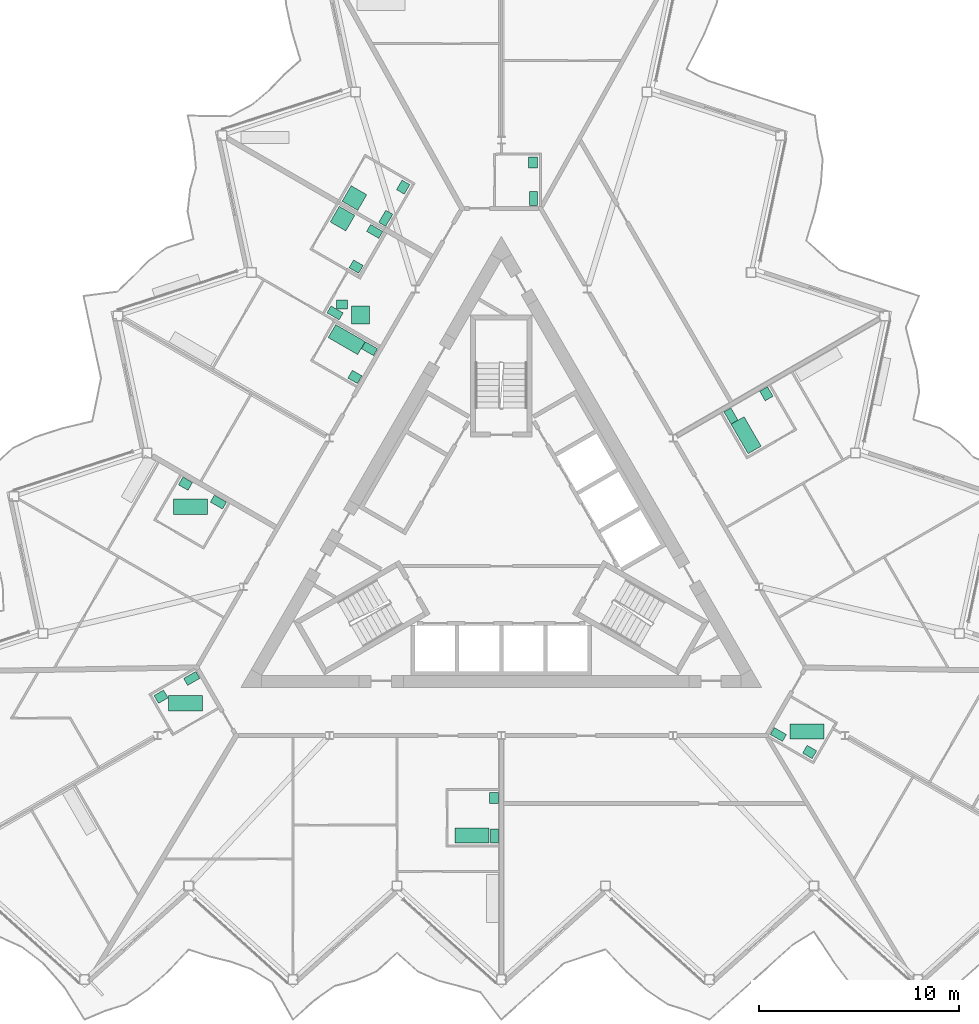
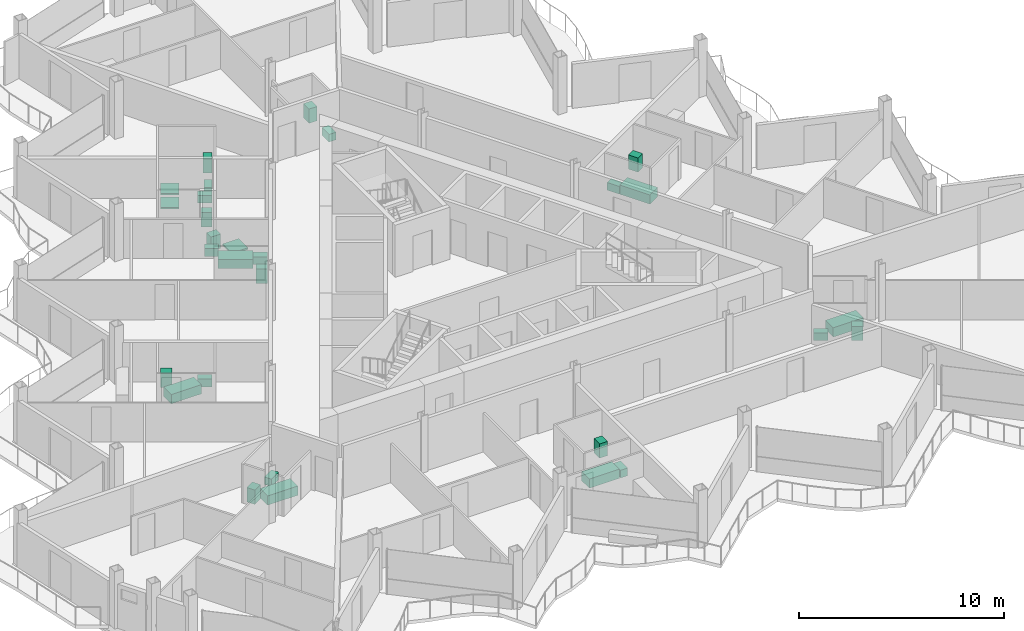
# One storey, part 25 of 26: 29 sanitary terminals.
"""IFC4 building model written with IfcOpenShell, lengths in metres."""

from ifc_helpers import new_model, si_unit, direction, frame, origin, origin_2d, place, context, subcontext, project, spatial, rectangle, extrude, material, type_object, element, save


model = new_model("IFC4")

# Units and contexts
model_context = context("Model", 3, precision=1e-05, world=origin(), true_north=direction((0.0, 1.0)))
body_context = subcontext(model_context, "Body", "Model", "MODEL_VIEW")
ifc_project = project(units=[si_unit("LENGTHUNIT", "METRE"), si_unit("AREAUNIT", "SQUARE_METRE"), si_unit("VOLUMEUNIT", "CUBIC_METRE"), si_unit("PLANEANGLEUNIT", "RADIAN"), si_unit("MASSUNIT", "GRAM", prefix="KILO")], contexts=[model_context])

# Site, building, storey
site_placement = place(None, origin())
site = spatial("IfcSite", under=ifc_project, at=site_placement, CompositionType="ELEMENT")
building_placement = place(site_placement, origin())
building = spatial("IfcBuilding", under=site, at=building_placement, Name="Cormorant Prow Tower", CompositionType="ELEMENT")
storey_placement = place(building_placement, frame((0.0, 0.0, 384.800048828125)))
storey = spatial("IfcBuildingStorey", under=building, at=storey_placement, Name="L87", CompositionType="ELEMENT", Elevation=384.800048828125)

# Sanitary terminals
ifc_material_1 = material(Name="Vitreous china")
sanitary_terminal_type_1 = type_object("IfcSanitaryTerminalType", Name="Bath 1700x750", PredefinedType="BATH", material=ifc_material_1)
for number, where, z_axis, x_axis, name in (
    (1, (-1.455078125, -14.885498046875, 0.0), (0.0, 0.0, 1.0), (1.0, 0.0, 0.0), "Bath"),
    (2, (15.2607421875, -9.70068359375, 0.0), (0.0, 0.0, 1.0), (1.0, 0.0, 0.0), "Bath"),
    (3, (12.219482421875, 5.086181640625, 0.0), (0.0, 0.0, 1.0), (-0.5, 0.866025403784, 0.0), "Bath"),
    (4, (-7.715087890625, 9.8583984375, 0.0), (0.0, 0.0, 1.0), (0.866025403784, -0.5, 0.0), "Bath"),
    (5, (-15.51171875, 1.515869140625, 0.0), (0.0, 0.0, 1.0), (1.0, 0.0, 0.0), "Bath"),
    (6, (-15.75244140625, -8.29248046875, 0.0), (0.0, 0.0, 1.0), (1.0, 0.0, 0.0), "Bath"),
):
    element("IfcSanitaryTerminal", number, at=place(storey_placement, frame(where, z_axis=z_axis, x_axis=x_axis)), inside=storey, type_object=sanitary_terminal_type_1, Name=name, PredefinedType="BATH", context=body_context, shape_type="SweptSolid", body=[
        extrude(rectangle(XDim=1.699951171875, YDim=0.75, at=origin_2d()), origin(), (0.0, 0.0, 1.0), 0.550048828125),
    ])
ifc_material_2 = material(Name="Vitreous china")
sanitary_terminal_type_2 = type_object("IfcSanitaryTerminalType", Name="Shower tray 900x900", PredefinedType="SHOWER", material=ifc_material_2)
for number, where, z_axis, x_axis, name in (
    (7, (-7.328857421875, 16.92724609375, 0.0), (0.0, 0.0, 1.0), (0.5, 0.866025403784, 0.0), "Shower tray"),
    (8, (-7.923828125, 15.896728515625, 0.0), (0.0, 0.0, 1.0), (0.866025403784, -0.5, 0.0), "Shower tray"),
    (9, (-7.01708984375, 11.0859375, 0.0), (0.0, 0.0, 1.0), (1.0, 0.0, 0.0), "Shower tray"),
):
    element("IfcSanitaryTerminal", number, at=place(storey_placement, frame(where, z_axis=z_axis, x_axis=x_axis)), inside=storey, type_object=sanitary_terminal_type_2, Name=name, PredefinedType="SHOWER", context=body_context, shape_type="SweptSolid", body=[
        extrude(rectangle(XDim=0.89990234375, YDim=0.89990234375, at=origin_2d()), origin(), (0.0, 0.0, 1.0), 0.10009765625),
    ])
ifc_material_3 = material(Name="Vitreous china")
sanitary_terminal_type_3 = type_object("IfcSanitaryTerminalType", Name="Wash basin 550x450", PredefinedType="WASHHANDBASIN", material=ifc_material_3)
for number, where, z_axis, x_axis, name in (
    (10, (-0.3701171875, -13.025634765625, 0.0), (0.0, 0.0, 1.0), (0.0, -1.0, 0.0), "Wash basin"),
    (11, (15.390380859375, -10.72509765625, 0.0), (0.0, 0.0, 1.0), (-0.866025403784, 0.5, 0.0), "Wash basin"),
    (12, (13.231201171875, 7.154052734375, 0.0), (0.0, 0.0, 1.0), (0.5, -0.866025403784, 0.0), "Wash basin"),
    (13, (1.593017578125, 18.691162109375, 0.0), (0.0, 0.0, 1.0), (0.0, -1.0, 0.0), "Wash basin"),
    (14, (-4.897216796875, 17.468994140625, 0.0), (0.0, 0.0, 1.0), (-0.5, -0.866025403784, 0.0), "Wash basin"),
    (15, (-7.30712890625, 7.99462890625, 0.0), (0.0, 0.0, 1.0), (-0.866025403784, 0.5, 0.0), "Wash basin"),
    (16, (-7.24560546875, 13.501708984375, 0.0), (0.0, 0.0, 1.0), (-0.866025403784, 0.5, 0.0), "Wash basin"),
    (17, (-7.942138671875, 11.61083984375, 0.0), (0.0, 0.0, 1.0), (1.0, 0.0, 0.0), "Wash basin"),
    (18, (-15.762939453125, 2.6689453125, 0.0), (0.0, 0.0, 1.0), (0.866025403784, -0.5, 0.0), "Wash basin"),
    (19, (-16.9833984375, -7.9658203125, 0.0), (0.0, 0.0, 1.0), (0.866025403784, 0.5, 0.0), "Wash basin"),
):
    element("IfcSanitaryTerminal", number, at=place(storey_placement, frame(where, z_axis=z_axis, x_axis=x_axis)), inside=storey, type_object=sanitary_terminal_type_3, Name=name, PredefinedType="WASHHANDBASIN", context=body_context, shape_type="SweptSolid", body=[
        extrude(rectangle(XDim=0.550048828125, YDim=0.449951171875, at=origin_2d()), origin(), (0.0, 0.0, 1.0), 0.85009765625),
    ])
ifc_material_4 = material(Name="Vitreous china")
sanitary_terminal_type_4 = type_object("IfcSanitaryTerminalType", Name="Water closet 400x700", PredefinedType="WCSEAT", material=ifc_material_4)
for number, where, z_axis, x_axis, name in (
    (20, (-0.344970703125, -14.91064453125, 0.0), (0.0, 0.0, 1.0), (-1.0, 0.0, 0.0), "Water closet"),
    (21, (13.83203125, -9.854248046875, 0.0), (0.0, 0.0, 1.0), (0.5, 0.866025403784, 0.0), "Water closet"),
    (22, (11.462890625, 6.046630859375, 0.0), (0.0, 0.0, 1.0), (0.866025403784, 0.5, 0.0), "Water closet"),
    (23, (1.617919921875, 16.906005859375, 0.0), (0.0, 0.0, 1.0), (-1.0, 0.0, 0.0), "Water closet"),
    (24, (-5.76806640625, 15.91064453125, 0.0), (0.0, 0.0, 1.0), (-0.866025403784, 0.5, 0.0), "Water closet"),
    (25, (-6.57958984375, 9.40478515625, 0.0), (0.0, 0.0, 1.0), (-0.5, -0.866025403784, 0.0), "Water closet"),
    (26, (-6.31787109375, 15.25830078125, 0.0), (0.0, 0.0, 1.0), (-0.5, -0.866025403784, 0.0), "Water closet"),
    (27, (-8.295654296875, 11.1923828125, 0.0), (0.0, 0.0, 1.0), (0.5, 0.866025403784, 0.0), "Water closet"),
    (28, (-14.117919921875, 1.748291015625, 0.0), (0.0, 0.0, 1.0), (-0.5, -0.866025403784, 0.0), "Water closet"),
    (29, (-15.4501953125, -7.0517578125, 0.0), (0.0, 0.0, 1.0), (0.5, -0.866025403784, 0.0), "Water closet"),
):
    element("IfcSanitaryTerminal", number, at=place(storey_placement, frame(where, z_axis=z_axis, x_axis=x_axis)), inside=storey, type_object=sanitary_terminal_type_4, Name=name, PredefinedType="WCSEAT", context=body_context, shape_type="SweptSolid", body=[
        extrude(rectangle(XDim=0.39990234375, YDim=0.699951171875, at=origin_2d()), origin(), (0.0, 0.0, 1.0), 0.449951171875),
    ])

save(model, "model.ifc")
